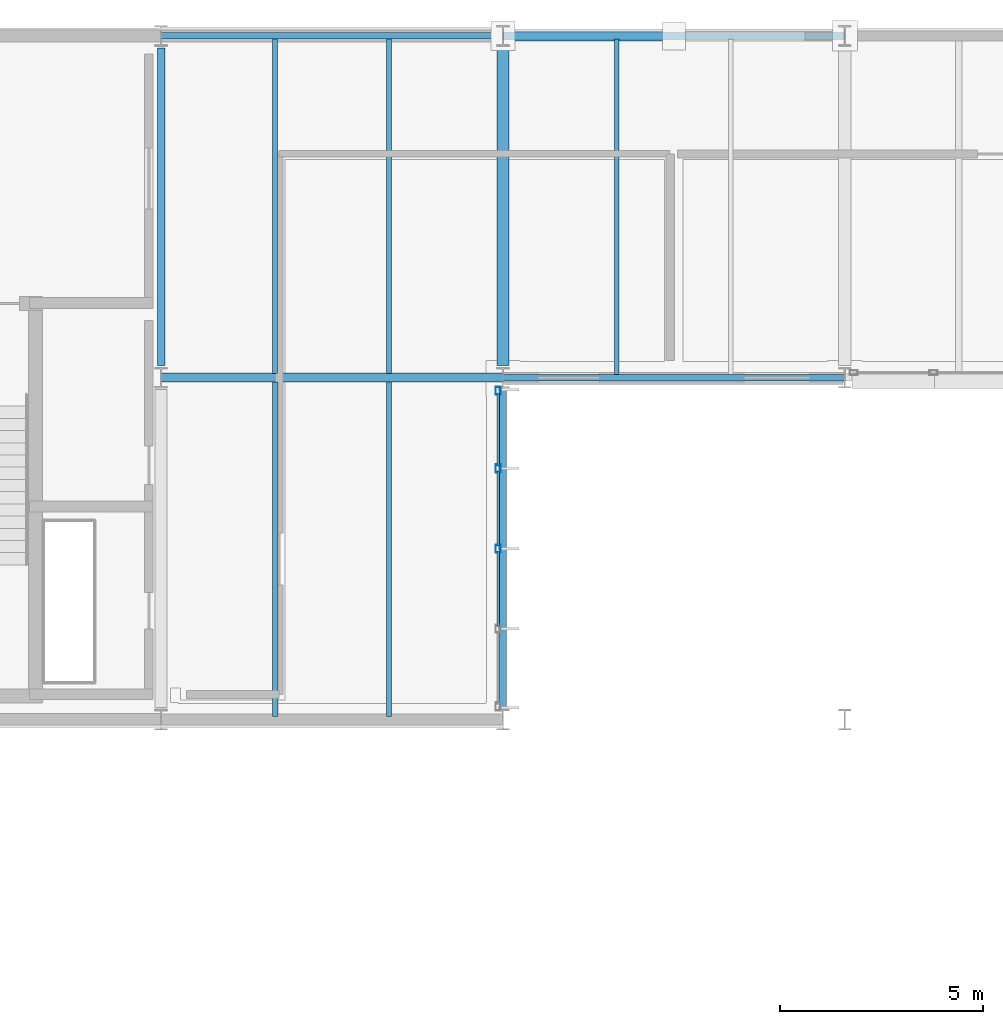
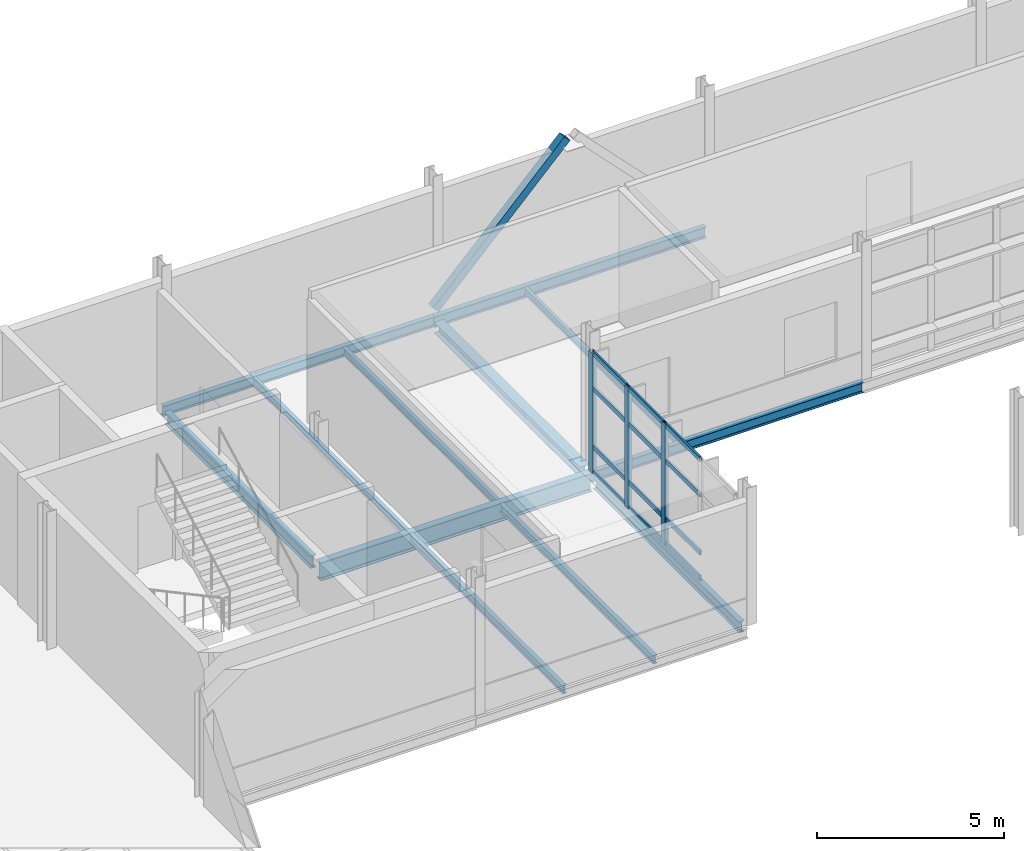
# One storey, part 43 of 129: 16 members, 12 beams, 1 element without a shape of its own.
"""IFC4 building model written with IfcOpenShell, lengths in metres."""

from ifc_helpers import new_model, si_unit, direction, frame, origin, origin_2d, place, context, subcontext, project, spatial, hollow_rectangle, i_section, extrude, material, material_profile, profile_set, type_object, element, aggregate, save


model = new_model("IFC4")

# Units and contexts
model_context = context("Model", 3, precision=1e-05, world=origin(), true_north=direction((0.0, 1.0)))
body_context = subcontext(model_context, "Body", "Model", "MODEL_VIEW")
ifc_project = project(units=[si_unit("LENGTHUNIT", "METRE"), si_unit("AREAUNIT", "SQUARE_METRE"), si_unit("VOLUMEUNIT", "CUBIC_METRE"), si_unit("PLANEANGLEUNIT", "RADIAN"), si_unit("MASSUNIT", "GRAM", prefix="KILO")], contexts=[model_context])

# Site, building, storey
site_placement = place(None, origin())
site = spatial("IfcSite", under=ifc_project, at=site_placement, CompositionType="ELEMENT")
building_placement = place(site_placement, origin())
building = spatial("IfcBuilding", under=site, at=building_placement, Name="Mersafa Astral City Hall", CompositionType="ELEMENT")
storey_placement = place(building_placement, frame((0.0, 0.0, 5.39990234375)))
storey = spatial("IfcBuildingStorey", under=building, at=storey_placement, Name="L01", CompositionType="ELEMENT", Elevation=5.39990234375)

# Curtain wall, members
ifc_material_1 = material(Name="Anodised bronze aluminium framing", Category="aluminium")
curtain_wall_type = type_object("IfcCurtainWallType", Name="ENV-CW-3", PredefinedType="USERDEFINED", material=ifc_material_1)
curtain_wall_placement = place(storey_placement, origin())
curtain_wall = element("IfcCurtainWall", 1, at=curtain_wall_placement, inside=storey, type_object=curtain_wall_type, Name="L01 Unitised solar curtain wall 86", ObjectType="UNITISED CURTAIN WALL", PredefinedType="USERDEFINED")
ifc_material_profile_1 = material_profile(ifc_material_1, hollow_rectangle(XDim=0.1201171875, YDim=0.199951171875, WallThickness=0.008056640625, at=origin_2d()), Name="RHS 120x200x8")
ifc_profile_set_1 = profile_set([ifc_material_profile_1], Name="Anodised bronze aluminium framing")
member_type_1 = type_object("IfcMemberType", Name="ENV-CW-MUL-2", PredefinedType="MULLION", material=ifc_profile_set_1)
member_1_placement = place(storey_placement, frame((58.679931640625, 113.39990234375, -0.001953125), z_axis=(0.0, 0.0, 1.0), x_axis=(-1.0, 0.0, 0.0)))
member_1 = element("IfcMember", 2, at=member_1_placement, type_object=member_type_1, Name="CW-3 mullion 3", PredefinedType="MULLION", context=body_context, shape_type="SweptSolid", body=[
    extrude(hollow_rectangle(XDim=0.1201171875, YDim=0.199951171875, WallThickness=0.008056640625, at=origin_2d()), origin(), (0.0, 0.0, 1.0), 3.93896484375),
])
member_2_placement = place(storey_placement, frame((58.679931640625, 115.368896484375, -0.001953125), z_axis=(0.0, 0.0, 1.0), x_axis=(-1.0, 0.0, 0.0)))
member_2 = element("IfcMember", 3, at=member_2_placement, type_object=member_type_1, Name="CW-3 mullion 4", PredefinedType="MULLION", context=body_context, shape_type="SweptSolid", body=[
    extrude(hollow_rectangle(XDim=0.1201171875, YDim=0.199951171875, WallThickness=0.008056640625, at=origin_2d()), origin(), (0.0, 0.0, 1.0), 3.93896484375),
])
member_3_placement = place(storey_placement, frame((58.679931640625, 117.278076171875, -0.001953125), z_axis=(0.0, 0.0, 1.0), x_axis=(-1.0, 0.0, 0.0)))
member_3 = element("IfcMember", 4, at=member_3_placement, type_object=member_type_1, Name="CW-3 mullion 5", PredefinedType="MULLION", context=body_context, shape_type="SweptSolid", body=[
    extrude(hollow_rectangle(XDim=0.1201171875, YDim=0.199951171875, WallThickness=0.008056640625, at=origin_2d()), origin(), (0.0, 0.0, 1.0), 3.93896484375),
])
ifc_material_profile_2 = material_profile(ifc_material_1, hollow_rectangle(XDim=0.06005859375, YDim=0.159912109375, WallThickness=0.00390625, at=origin_2d()), Name="RHS 60x160x4")
ifc_profile_set_2 = profile_set([ifc_material_profile_2], Name="Anodised bronze aluminium framing")
member_type_2 = type_object("IfcMemberType", Name="ENV-CW-TRN-2", PredefinedType="USERDEFINED", material=ifc_profile_set_2)
member_4_placement = place(storey_placement, frame((58.679931640625, 111.490966796875, 0.028076171875), z_axis=(0.0, 1.0, 0.0), x_axis=(-1.0, 0.0, 0.0)))
member_4 = element("IfcMember", 5, at=member_4_placement, type_object=member_type_2, Name="CW-3 transom 2.1", ObjectType="TRANSOM", PredefinedType="USERDEFINED", context=body_context, shape_type="SweptSolid", body=[
    extrude(hollow_rectangle(XDim=0.06005859375, YDim=0.159912109375, WallThickness=0.00390625, at=origin_2d()), origin(), (0.0, 0.0, 1.0), 1.84912109375),
])
member_5_placement = place(storey_placement, frame((58.679931640625, 111.490966796875, 0.85009765625), z_axis=(0.0, 1.0, 0.0), x_axis=(-1.0, 0.0, 0.0)))
member_5 = element("IfcMember", 6, at=member_5_placement, type_object=member_type_2, Name="CW-3 transom 2.2", ObjectType="TRANSOM", PredefinedType="USERDEFINED", context=body_context, shape_type="SweptSolid", body=[
    extrude(hollow_rectangle(XDim=0.06005859375, YDim=0.159912109375, WallThickness=0.00390625, at=origin_2d()), origin(), (0.0, 0.0, 1.0), 1.84912109375),
])
member_6_placement = place(storey_placement, frame((58.679931640625, 111.490966796875, 2.75), z_axis=(0.0, 1.0, 0.0), x_axis=(-1.0, 0.0, 0.0)))
member_6 = element("IfcMember", 7, at=member_6_placement, type_object=member_type_2, Name="CW-3 transom 2.3", ObjectType="TRANSOM", PredefinedType="USERDEFINED", context=body_context, shape_type="SweptSolid", body=[
    extrude(hollow_rectangle(XDim=0.06005859375, YDim=0.159912109375, WallThickness=0.00390625, at=origin_2d()), origin(), (0.0, 0.0, 1.0), 1.84912109375),
])
member_7_placement = place(storey_placement, frame((58.679931640625, 111.490966796875, 3.906982421875), z_axis=(0.0, 1.0, 0.0), x_axis=(-1.0, 0.0, 0.0)))
member_7 = element("IfcMember", 8, at=member_7_placement, type_object=member_type_2, Name="CW-3 transom 2.4", ObjectType="TRANSOM", PredefinedType="USERDEFINED", context=body_context, shape_type="SweptSolid", body=[
    extrude(hollow_rectangle(XDim=0.06005859375, YDim=0.159912109375, WallThickness=0.00390625, at=origin_2d()), origin(), (0.0, 0.0, 1.0), 1.84912109375),
])
member_8_placement = place(storey_placement, frame((58.679931640625, 113.4599609375, 0.028076171875), z_axis=(0.0, 1.0, 0.0), x_axis=(-1.0, 0.0, 0.0)))
member_8 = element("IfcMember", 9, at=member_8_placement, type_object=member_type_2, Name="CW-3 transom 3.1", ObjectType="TRANSOM", PredefinedType="USERDEFINED", context=body_context, shape_type="SweptSolid", body=[
    extrude(hollow_rectangle(XDim=0.06005859375, YDim=0.159912109375, WallThickness=0.00390625, at=origin_2d()), origin(), (0.0, 0.0, 1.0), 1.84912109375),
])
member_9_placement = place(storey_placement, frame((58.679931640625, 113.4599609375, 0.85009765625), z_axis=(0.0, 1.0, 0.0), x_axis=(-1.0, 0.0, 0.0)))
member_9 = element("IfcMember", 10, at=member_9_placement, type_object=member_type_2, Name="CW-3 transom 3.2", ObjectType="TRANSOM", PredefinedType="USERDEFINED", context=body_context, shape_type="SweptSolid", body=[
    extrude(hollow_rectangle(XDim=0.06005859375, YDim=0.159912109375, WallThickness=0.00390625, at=origin_2d()), origin(), (0.0, 0.0, 1.0), 1.84912109375),
])
member_10_placement = place(storey_placement, frame((58.679931640625, 113.4599609375, 2.75), z_axis=(0.0, 1.0, 0.0), x_axis=(-1.0, 0.0, 0.0)))
member_10 = element("IfcMember", 11, at=member_10_placement, type_object=member_type_2, Name="CW-3 transom 3.3", ObjectType="TRANSOM", PredefinedType="USERDEFINED", context=body_context, shape_type="SweptSolid", body=[
    extrude(hollow_rectangle(XDim=0.06005859375, YDim=0.159912109375, WallThickness=0.00390625, at=origin_2d()), origin(), (0.0, 0.0, 1.0), 1.84912109375),
])
member_11_placement = place(storey_placement, frame((58.679931640625, 113.4599609375, 3.906982421875), z_axis=(0.0, 1.0, 0.0), x_axis=(-1.0, 0.0, 0.0)))
member_11 = element("IfcMember", 12, at=member_11_placement, type_object=member_type_2, Name="CW-3 transom 3.4", ObjectType="TRANSOM", PredefinedType="USERDEFINED", context=body_context, shape_type="SweptSolid", body=[
    extrude(hollow_rectangle(XDim=0.06005859375, YDim=0.159912109375, WallThickness=0.00390625, at=origin_2d()), origin(), (0.0, 0.0, 1.0), 1.84912109375),
])
member_12_placement = place(storey_placement, frame((58.679931640625, 115.428955078125, 0.028076171875), z_axis=(0.0, 1.0, 0.0), x_axis=(-1.0, 0.0, 0.0)))
member_12 = element("IfcMember", 13, at=member_12_placement, type_object=member_type_2, Name="CW-3 transom 4.1", ObjectType="TRANSOM", PredefinedType="USERDEFINED", context=body_context, shape_type="SweptSolid", body=[
    extrude(hollow_rectangle(XDim=0.06005859375, YDim=0.159912109375, WallThickness=0.00390625, at=origin_2d()), origin(), (0.0, 0.0, 1.0), 1.7890625),
])
member_13_placement = place(storey_placement, frame((58.679931640625, 115.428955078125, 0.85009765625), z_axis=(0.0, 1.0, 0.0), x_axis=(-1.0, 0.0, 0.0)))
member_13 = element("IfcMember", 14, at=member_13_placement, type_object=member_type_2, Name="CW-3 transom 4.2", ObjectType="TRANSOM", PredefinedType="USERDEFINED", context=body_context, shape_type="SweptSolid", body=[
    extrude(hollow_rectangle(XDim=0.06005859375, YDim=0.159912109375, WallThickness=0.00390625, at=origin_2d()), origin(), (0.0, 0.0, 1.0), 1.7890625),
])
member_14_placement = place(storey_placement, frame((58.679931640625, 115.428955078125, 2.75), z_axis=(0.0, 1.0, 0.0), x_axis=(-1.0, 0.0, 0.0)))
member_14 = element("IfcMember", 15, at=member_14_placement, type_object=member_type_2, Name="CW-3 transom 4.3", ObjectType="TRANSOM", PredefinedType="USERDEFINED", context=body_context, shape_type="SweptSolid", body=[
    extrude(hollow_rectangle(XDim=0.06005859375, YDim=0.159912109375, WallThickness=0.00390625, at=origin_2d()), origin(), (0.0, 0.0, 1.0), 1.7890625),
])
member_15_placement = place(storey_placement, frame((58.679931640625, 115.428955078125, 3.906982421875), z_axis=(0.0, 1.0, 0.0), x_axis=(-1.0, 0.0, 0.0)))
member_15 = element("IfcMember", 16, at=member_15_placement, type_object=member_type_2, Name="CW-3 transom 4.4", ObjectType="TRANSOM", PredefinedType="USERDEFINED", context=body_context, shape_type="SweptSolid", body=[
    extrude(hollow_rectangle(XDim=0.06005859375, YDim=0.159912109375, WallThickness=0.00390625, at=origin_2d()), origin(), (0.0, 0.0, 1.0), 1.7890625),
])
aggregate(curtain_wall, [member_1, member_2, member_3, member_4, member_5, member_6, member_7, member_8, member_9, member_10, member_11, member_12, member_13, member_14, member_15])

# Beams
ifc_material_2 = material(Name="Steel S355", Category="steel")
ifc_material_profile_3 = material_profile(ifc_material_2, i_section(OverallWidth=0.300048828125, OverallDepth=0.35009765625, WebThickness=0.010009765625, FlangeThickness=0.017578125, FilletRadius=0.027099609375, at=origin_2d()), Name="HEA 360")
ifc_profile_set_3 = profile_set([ifc_material_profile_3], Name="Steel S355")
beam_type_1 = type_object("IfcBeamType", Name="STR-BM-HEA360", PredefinedType="BEAM", material=ifc_profile_set_3)
beam_1_placement = place(storey_placement, frame((58.800048828125, 117.89501953125, -0.39990234375), z_axis=(0.0, 1.0, 0.0), x_axis=(-1.0, 0.0, 0.0)))
element("IfcBeam", 17, at=beam_1_placement, inside=storey, type_object=beam_type_1, Name="L01 Primary girder Y 7-14", PredefinedType="BEAM", context=body_context, shape_type="SweptSolid", body=[
    extrude(i_section(OverallWidth=0.300048828125, OverallDepth=0.35009765625, WebThickness=0.010009765625, FlangeThickness=0.017578125, FilletRadius=0.027099609375, at=origin_2d()), origin(), (0.0, 0.0, 1.0), 7.81005859375),
])
ifc_material_profile_4 = material_profile(ifc_material_2, i_section(OverallWidth=0.179931640625, OverallDepth=0.39990234375, WebThickness=0.008544921875, FlangeThickness=0.013427734375, FilletRadius=0.02099609375, at=origin_2d()), Name="IPE 400")
ifc_profile_set_4 = profile_set([ifc_material_profile_4], Name="Steel S355")
beam_type_2 = type_object("IfcBeamType", Name="STR-BM-IPE400", PredefinedType="BEAM", material=ifc_profile_set_4)
beam_2_placement = place(storey_placement, frame((50.39990234375, 117.89501953125, -0.4248046875), z_axis=(0.0, 1.0, 0.0), x_axis=(-1.0, 0.0, 0.0)))
element("IfcBeam", 18, at=beam_2_placement, inside=storey, type_object=beam_type_2, Name="L01 Primary girder Y 6-14", PredefinedType="BEAM", context=body_context, shape_type="SweptSolid", body=[
    extrude(i_section(OverallWidth=0.179931640625, OverallDepth=0.39990234375, WebThickness=0.008544921875, FlangeThickness=0.013427734375, FilletRadius=0.02099609375, at=origin_2d()), origin(), (0.0, 0.0, 1.0), 7.81005859375),
])
ifc_material_profile_5 = material_profile(ifc_material_2, i_section(OverallWidth=0.219970703125, OverallDepth=0.60009765625, WebThickness=0.011962890625, FlangeThickness=0.01904296875, FilletRadius=0.02392578125, at=origin_2d()), Name="IPE 600")
ifc_profile_set_5 = profile_set([ifc_material_profile_5], Name="Steel S355")
beam_type_3 = type_object("IfcBeamType", Name="STR-BM-IPE600", PredefinedType="BEAM", material=ifc_profile_set_5)
beam_3_placement = place(storey_placement, frame((50.403076171875, 117.60009765625, -0.52490234375), z_axis=(1.0, 0.0, 0.0), x_axis=(0.0, 1.0, 0.0)))
element("IfcBeam", 19, at=beam_3_placement, inside=storey, type_object=beam_type_3, Name="L01 Primary girder X 6-14", PredefinedType="BEAM", context=body_context, shape_type="SweptSolid", body=[
    extrude(i_section(OverallWidth=0.219970703125, OverallDepth=0.60009765625, WebThickness=0.011962890625, FlangeThickness=0.01904296875, FilletRadius=0.02392578125, at=origin_2d()), origin(), (0.0, 0.0, 1.0), 8.39404296875),
])
ifc_material_profile_6 = material_profile(ifc_material_2, i_section(OverallWidth=0.110107421875, OverallDepth=0.219970703125, WebThickness=0.005859375, FlangeThickness=0.00927734375, FilletRadius=0.011962890625, at=origin_2d()), Name="IPE 220")
ifc_profile_set_6 = profile_set([ifc_material_profile_6], Name="Steel S355")
beam_type_4 = type_object("IfcBeamType", Name="STR-BM-JOIST-IPE220", PredefinedType="JOIST", material=ifc_profile_set_6)
beam_4_placement = place(storey_placement, frame((61.60009765625, 117.675048828125, -0.3349609375), z_axis=(0.0, 1.0, 0.0), x_axis=(-1.0, 0.0, 0.0)))
element("IfcBeam", 20, at=beam_4_placement, inside=storey, type_object=beam_type_4, Name="L01 Composite secondary floor joist 252", PredefinedType="JOIST", context=body_context, shape_type="SweptSolid", body=[
    extrude(i_section(OverallWidth=0.110107421875, OverallDepth=0.219970703125, WebThickness=0.005859375, FlangeThickness=0.00927734375, FilletRadius=0.011962890625, at=origin_2d()), origin(), (0.0, 0.0, 1.0), 8.244873046875),
])
ifc_material_profile_7 = material_profile(ifc_material_2, i_section(OverallWidth=0.1201171875, OverallDepth=0.239990234375, WebThickness=0.006103515625, FlangeThickness=0.009765625, FilletRadius=0.014892578125, at=origin_2d()), Name="IPE 240")
ifc_profile_set_7 = profile_set([ifc_material_profile_7], Name="Steel S355")
beam_type_5 = type_object("IfcBeamType", Name="STR-BM-JOIST-IPE240", PredefinedType="JOIST", material=ifc_profile_set_7)
for number, where, z_axis, x_axis, name in (
    (21, (53.199951171875, 117.705078125, -0.344970703125), (0.0, 1.0, 0.0), (-1.0, 0.0, 0.0), "L01 Composite secondary floor joist 248"),
    (22, (56.0, 117.705078125, -0.344970703125), (0.0, 1.0, 0.0), (-1.0, 0.0, 0.0), "L01 Composite secondary floor joist 249"),
):
    element("IfcBeam", number, at=place(storey_placement, frame(where, z_axis=z_axis, x_axis=x_axis)), inside=storey, type_object=beam_type_5, Name=name, PredefinedType="JOIST", context=body_context, shape_type="SweptSolid", body=[
        extrude(i_section(OverallWidth=0.1201171875, OverallDepth=0.239990234375, WebThickness=0.006103515625, FlangeThickness=0.009765625, FilletRadius=0.014892578125, at=origin_2d()), origin(), (0.0, 0.0, 1.0), 8.219970703125),
    ])
ifc_material_profile_8 = material_profile(ifc_material_2, i_section(OverallWidth=0.135009765625, OverallDepth=0.27001953125, WebThickness=0.006591796875, FlangeThickness=0.01025390625, FilletRadius=0.014892578125, at=origin_2d()), Name="IPE 270")
ifc_profile_set_8 = profile_set([ifc_material_profile_8], Name="Steel S355")
beam_type_6 = type_object("IfcBeamType", Name="STR-BM-JOIST-IPE270", PredefinedType="JOIST", material=ifc_profile_set_8)
for number, where, z_axis, x_axis, name in (
    (23, (53.199951171875, 109.27490234375, -0.35986328125), (0.0, 1.0, 0.0), (-1.0, 0.0, 0.0), "L01 Composite secondary floor joist 246"),
    (24, (56.0, 109.27490234375, -0.35986328125), (0.0, 1.0, 0.0), (-1.0, 0.0, 0.0), "L01 Composite secondary floor joist 247"),
):
    element("IfcBeam", number, at=place(storey_placement, frame(where, z_axis=z_axis, x_axis=x_axis)), inside=storey, type_object=beam_type_6, Name=name, PredefinedType="JOIST", context=body_context, shape_type="SweptSolid", body=[
        extrude(i_section(OverallWidth=0.135009765625, OverallDepth=0.27001953125, WebThickness=0.006591796875, FlangeThickness=0.01025390625, FilletRadius=0.014892578125, at=origin_2d()), origin(), (0.0, 0.0, 1.0), 8.22021484375),
    ])
ifc_material_profile_9 = material_profile(ifc_material_2, i_section(OverallWidth=0.159912109375, OverallDepth=0.330078125, WebThickness=0.007568359375, FlangeThickness=0.011474609375, FilletRadius=0.01806640625, at=origin_2d()), Name="IPE 330")
ifc_profile_set_9 = profile_set([ifc_material_profile_9], Name="Steel S355")
beam_type_7 = type_object("IfcBeamType", Name="STR-BM-SPANDREL-IPE330", PredefinedType="SPANDREL", material=ifc_profile_set_9)
for number, where, z_axis, x_axis, name in (
    (25, (58.802978515625, 117.60009765625, -0.389892578125), (1.0, 0.0, 0.0), (0.0, 1.0, 0.0), "L01 Primary girder X 7-14"),
    (26, (50.403076171875, 126.0, -0.389892578125), (1.0, 0.0, 0.0), (0.0, 1.0, 0.0), "L01 Primary girder X 6-15"),
):
    element("IfcBeam", number, at=place(storey_placement, frame(where, z_axis=z_axis, x_axis=x_axis)), inside=storey, type_object=beam_type_7, Name=name, PredefinedType="SPANDREL", context=body_context, shape_type="SweptSolid", body=[
        extrude(i_section(OverallWidth=0.159912109375, OverallDepth=0.330078125, WebThickness=0.007568359375, FlangeThickness=0.011474609375, FilletRadius=0.01806640625, at=origin_2d()), origin(), (0.0, 0.0, 1.0), 8.39404296875),
    ])
ifc_material_profile_10 = material_profile(ifc_material_2, i_section(OverallWidth=0.169921875, OverallDepth=0.360107421875, WebThickness=0.008056640625, FlangeThickness=0.0126953125, FilletRadius=0.01806640625, at=origin_2d()), Name="IPE 360")
ifc_profile_set_10 = profile_set([ifc_material_profile_10], Name="Steel S355")
beam_type_8 = type_object("IfcBeamType", Name="STR-BM-SPANDREL-IPE360", PredefinedType="SPANDREL", material=ifc_profile_set_10)
beam_5_placement = place(storey_placement, frame((58.802978515625, 126.0, -0.40478515625), z_axis=(1.0, 0.0, 0.0), x_axis=(0.0, 1.0, 0.0)))
element("IfcBeam", 27, at=beam_5_placement, inside=storey, type_object=beam_type_8, Name="L01 Primary girder X 7-15", PredefinedType="SPANDREL", context=body_context, shape_type="SweptSolid", body=[
    extrude(i_section(OverallWidth=0.169921875, OverallDepth=0.360107421875, WebThickness=0.008056640625, FlangeThickness=0.0126953125, FilletRadius=0.01806640625, at=origin_2d()), origin(), (0.0, 0.0, 1.0), 8.39404296875),
])
beam_6_placement = place(storey_placement, frame((58.800048828125, 109.4951171875, -0.40478515625), z_axis=(0.0, 1.0, 0.0), x_axis=(-1.0, 0.0, 0.0)))
element("IfcBeam", 28, at=beam_6_placement, inside=storey, type_object=beam_type_8, Name="L01 Primary girder Y 7-13", PredefinedType="SPANDREL", context=body_context, shape_type="SweptSolid", body=[
    extrude(i_section(OverallWidth=0.169921875, OverallDepth=0.360107421875, WebThickness=0.008056640625, FlangeThickness=0.0126953125, FilletRadius=0.01806640625, at=origin_2d()), origin(), (0.0, 0.0, 1.0), 7.809814453125),
])

# Member
ifc_material_profile_11 = material_profile(ifc_material_2, hollow_rectangle(XDim=0.25, YDim=0.25, WallThickness=0.012451171875, at=origin_2d()), Name="RHS 250x250x12.5")
ifc_profile_set_11 = profile_set([ifc_material_profile_11], Name="Steel S355")
member_type_3 = type_object("IfcMemberType", Name="STR-MBR-STRUT-RHS250", PredefinedType="BRACE", material=ifc_profile_set_11)
member_16_placement = place(storey_placement, frame((58.798095703125, 126.0, 0.02001953125), z_axis=(0.696897735077, 0.0, 0.717170514484), x_axis=(0.0, 1.0, 0.0)))
element("IfcMember", 29, at=member_16_placement, inside=storey, type_object=member_type_3, Name="L01 Chevron lateral brace 3A", PredefinedType="BRACE", context=body_context, shape_type="SweptSolid", body=[
    extrude(hollow_rectangle(XDim=0.25, YDim=0.25, WallThickness=0.012451171875, at=origin_2d()), origin(), (0.0, 0.0, 1.0), 5.82861328125),
])

save(model, "model.ifc")
